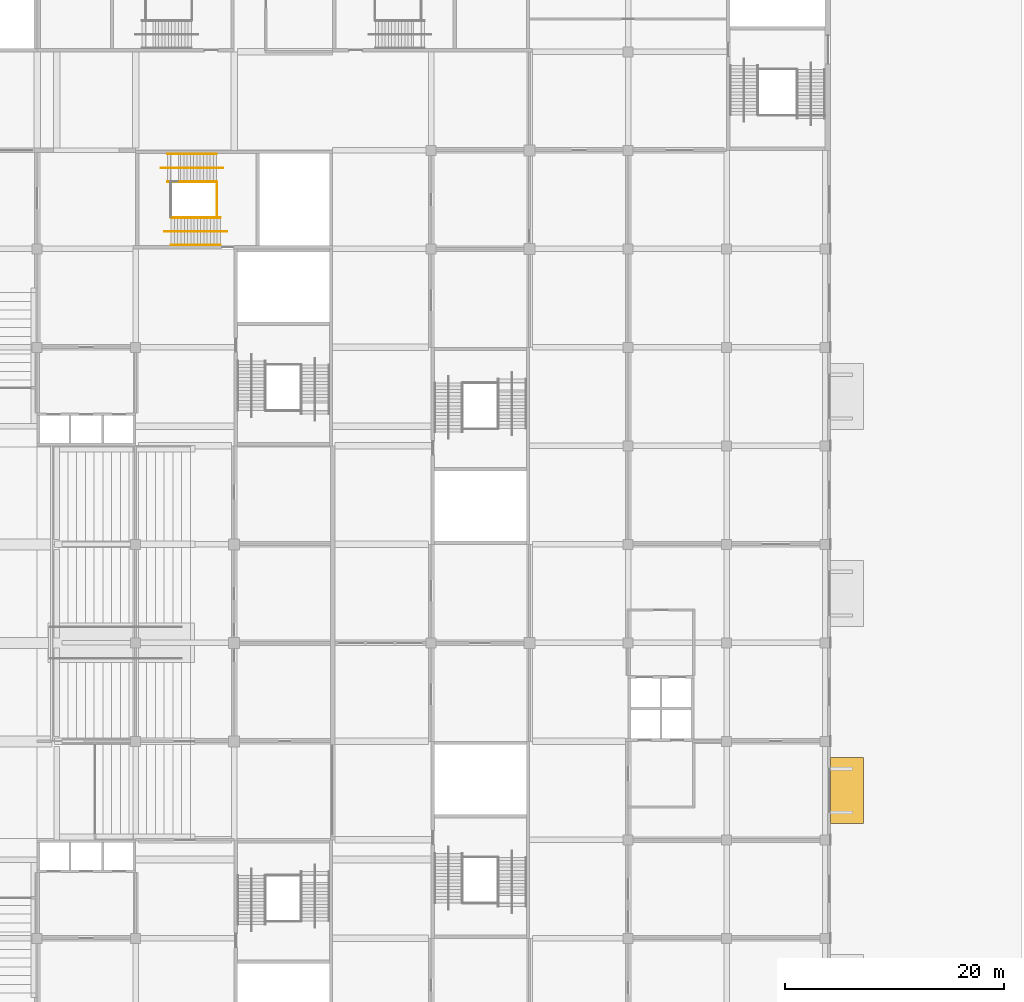
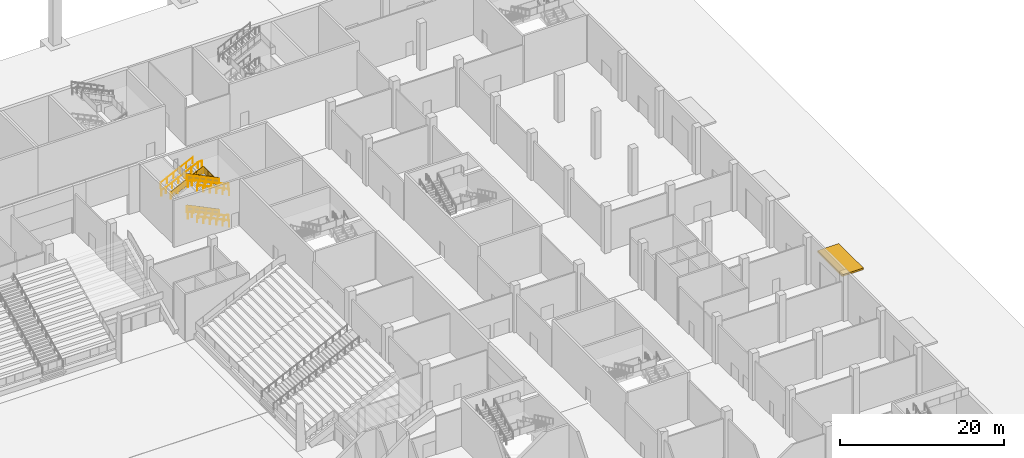
# One storey, part 79 of 92: 13 railings, 1 shading device.
"""IFC4 building model written with IfcOpenShell, lengths in metres."""

from ifc_helpers import new_model, si_unit, direction, frame, origin, origin_2d, place, context, subcontext, project, spatial, polyline, rectangle, circle, outline, extrude, material, type_object, element, save


model = new_model("IFC4")

# Units and contexts
model_context = context("Model", 3, precision=1e-05, world=origin(), true_north=direction((0.0, 1.0)))
body_context = subcontext(model_context, "Body", "Model", "MODEL_VIEW")
ifc_project = project(units=[si_unit("LENGTHUNIT", "METRE"), si_unit("AREAUNIT", "SQUARE_METRE"), si_unit("VOLUMEUNIT", "CUBIC_METRE"), si_unit("PLANEANGLEUNIT", "RADIAN"), si_unit("MASSUNIT", "GRAM", prefix="KILO")], contexts=[model_context])

# Site, building, storey
site_placement = place(None, origin())
site = spatial("IfcSite", under=ifc_project, at=site_placement, CompositionType="ELEMENT")
building_placement = place(site_placement, origin())
building = spatial("IfcBuilding", under=site, at=building_placement, Name="Silverbay Arena", CompositionType="ELEMENT")
storey_placement = place(building_placement, origin())
storey = spatial("IfcBuildingStorey", under=building, at=storey_placement, Name="L00", CompositionType="ELEMENT", Elevation=0.0)

# Shading device
ifc_material_1 = material(Name="Steel S355", Category="steel")
shading_device_type = type_object("IfcShadingDeviceType", Name="Loading dock canopy 6000 x 3000", PredefinedType="AWNING", material=ifc_material_1)
shading_device_placement = place(storey_placement, frame((236.0, 67.5, 5.199951171875), z_axis=(0.0, 0.0, 1.0), x_axis=(0.0, 1.0, 0.0)))
element("IfcShadingDevice", 1, at=shading_device_placement, inside=storey, type_object=shading_device_type, Name="East loading dock canopy L00 bay 6", PredefinedType="AWNING", context=body_context, shape_type="SweptSolid", body=[
    extrude(rectangle(XDim=6.0, YDim=3.0, at=origin_2d()), origin(), (0.0, 0.0, 1.0), 0.25),
])

# Railings
ifc_material_2 = material(Name="Stainless steel", Category="steel")
railing_type_1 = type_object("IfcRailingType", Name="Stair guard 1100", PredefinedType="GUARDRAIL", material=ifc_material_2)
railing_1_placement = place(storey_placement, frame((178.7431640625, 119.875, 0.145751953125)))
element("IfcRailing", 2, at=railing_1_placement, inside=storey, type_object=railing_type_1, Name="Stair ST-NE1 L00 to L01 flight 1 guard right", PredefinedType="GUARDRAIL", context=body_context, shape_type="SweptSolid", body=[
    extrude(circle(Radius=0.02392578125, at=origin_2d()), frame((0.0, 0.0, 1.076171875), z_axis=(-0.899367854138, 0.0, 0.437192706873), x_axis=(0.0, -1.0, 0.0)), (0.0, 0.0, 1.0), 5.00341796875),
    extrude(outline(polyline([(-0.008056640625, 0.046142578125), (0.907958984375, 0.491455078125), (0.907958984375, 1.494384765625), (-0.008056640625, 1.049072265625), (-0.008056640625, 0.046142578125)])), frame((0.0, -0.0029296875, 0.0), z_axis=(0.0, 1.0, 0.0), x_axis=(-1.0, 0.0, 0.0)), (0.0, 0.0, 1.0), 0.006103515625),
    extrude(outline(polyline([(-0.008056640625, 0.483642578125), (0.907958984375, 0.928955078125), (0.907958984375, 1.931884765625), (-0.008056640625, 1.486572265625), (-0.008056640625, 0.483642578125)])), frame((-0.89990234375, -0.0029296875, 0.0), z_axis=(0.0, 1.0, 0.0), x_axis=(-1.0, 0.0, 0.0)), (0.0, 0.0, 1.0), 0.006103515625),
    extrude(outline(polyline([(-0.008056640625, 0.921142578125), (0.907958984375, 1.366455078125), (0.907958984375, 2.369384765625), (-0.008056640625, 1.924072265625), (-0.008056640625, 0.921142578125)])), frame((-1.800048828125, -0.0029296875, 0.0), z_axis=(0.0, 1.0, 0.0), x_axis=(-1.0, 0.0, 0.0)), (0.0, 0.0, 1.0), 0.006103515625),
    extrude(outline(polyline([(-0.008056640625, 1.358642578125), (0.907958984375, 1.803955078125), (0.907958984375, 2.806884765625), (-0.008056640625, 2.361572265625), (-0.008056640625, 1.358642578125)])), frame((-2.699951171875, -0.0029296875, 0.0), z_axis=(0.0, 1.0, 0.0), x_axis=(-1.0, 0.0, 0.0)), (0.0, 0.0, 1.0), 0.006103515625),
    extrude(outline(polyline([(-0.008056640625, 1.796142578125), (0.907958984375, 2.241455078125), (0.907958984375, 3.244384765625), (-0.008056640625, 2.799072265625), (-0.008056640625, 1.796142578125)])), frame((-3.60009765625, -0.0029296875, 0.0), z_axis=(0.0, 1.0, 0.0), x_axis=(-1.0, 0.0, 0.0)), (0.0, 0.0, 1.0), 0.006103515625),
    extrude(circle(Radius=0.02099609375, at=origin_2d()), origin(), (0.0, 0.0, 1.0), 1.052001953125),
    extrude(circle(Radius=0.02099609375, at=origin_2d()), frame((-0.89990234375, 0.0, 0.4375)), (0.0, 0.0, 1.0), 1.052001953125),
    extrude(circle(Radius=0.02099609375, at=origin_2d()), frame((-1.800048828125, 0.0, 0.875)), (0.0, 0.0, 1.0), 1.052001953125),
    extrude(circle(Radius=0.02099609375, at=origin_2d()), frame((-2.699951171875, 0.0, 1.3125)), (0.0, 0.0, 1.0), 1.052001953125),
    extrude(circle(Radius=0.02099609375, at=origin_2d()), frame((-3.60009765625, 0.0, 1.75)), (0.0, 0.0, 1.0), 1.052001953125),
    extrude(circle(Radius=0.02099609375, at=origin_2d()), frame((-4.5, 0.0, 2.1875)), (0.0, 0.0, 1.0), 1.052001953125),
])
railing_2_placement = place(storey_placement, frame((173.89990234375, 123.125, 2.479248046875)))
element("IfcRailing", 3, at=railing_2_placement, inside=storey, type_object=railing_type_1, Name="Stair ST-NE1 L00 to L01 flight 2 guard left", PredefinedType="GUARDRAIL", context=body_context, shape_type="SweptSolid", body=[
    extrude(circle(Radius=0.02392578125, at=origin_2d()), frame((0.0, 0.0, 1.076171875), z_axis=(0.899367854138, 0.0, 0.437192706873), x_axis=(0.0, 1.0, 0.0)), (0.0, 0.0, 1.0), 5.00341796875),
    extrude(outline(polyline([(-0.008056640625, 0.046142578125), (0.907958984375, 0.491455078125), (0.907958984375, 1.494384765625), (-0.008056640625, 1.049072265625), (-0.008056640625, 0.046142578125)])), frame((0.0, 0.0029296875, 0.0), z_axis=(0.0, -1.0, 0.0), x_axis=(1.0, 0.0, 0.0)), (0.0, 0.0, 1.0), 0.006103515625),
    extrude(outline(polyline([(-0.008056640625, 0.483642578125), (0.907958984375, 0.928955078125), (0.907958984375, 1.931884765625), (-0.008056640625, 1.486572265625), (-0.008056640625, 0.483642578125)])), frame((0.89990234375, 0.0029296875, 0.0), z_axis=(0.0, -1.0, 0.0), x_axis=(1.0, 0.0, 0.0)), (0.0, 0.0, 1.0), 0.006103515625),
    extrude(outline(polyline([(-0.008056640625, 0.921142578125), (0.907958984375, 1.366455078125), (0.907958984375, 2.369384765625), (-0.008056640625, 1.924072265625), (-0.008056640625, 0.921142578125)])), frame((1.800048828125, 0.0029296875, 0.0), z_axis=(0.0, -1.0, 0.0), x_axis=(1.0, 0.0, 0.0)), (0.0, 0.0, 1.0), 0.006103515625),
    extrude(outline(polyline([(-0.008056640625, 1.358642578125), (0.907958984375, 1.803955078125), (0.907958984375, 2.806884765625), (-0.008056640625, 2.361572265625), (-0.008056640625, 1.358642578125)])), frame((2.699951171875, 0.0029296875, 0.0), z_axis=(0.0, -1.0, 0.0), x_axis=(1.0, 0.0, 0.0)), (0.0, 0.0, 1.0), 0.006103515625),
    extrude(outline(polyline([(-0.008056640625, 1.796142578125), (0.907958984375, 2.241455078125), (0.907958984375, 3.244384765625), (-0.008056640625, 2.799072265625), (-0.008056640625, 1.796142578125)])), frame((3.60009765625, 0.0029296875, 0.0), z_axis=(0.0, -1.0, 0.0), x_axis=(1.0, 0.0, 0.0)), (0.0, 0.0, 1.0), 0.006103515625),
    extrude(circle(Radius=0.02099609375, at=origin_2d()), origin(), (0.0, 0.0, 1.0), 1.052001953125),
    extrude(circle(Radius=0.02099609375, at=origin_2d()), frame((0.89990234375, 0.0, 0.4375)), (0.0, 0.0, 1.0), 1.052001953125),
    extrude(circle(Radius=0.02099609375, at=origin_2d()), frame((1.800048828125, 0.0, 0.875)), (0.0, 0.0, 1.0), 1.052001953125),
    extrude(circle(Radius=0.02099609375, at=origin_2d()), frame((2.699951171875, 0.0, 1.3125)), (0.0, 0.0, 1.0), 1.052001953125),
    extrude(circle(Radius=0.02099609375, at=origin_2d()), frame((3.60009765625, 0.0, 1.75)), (0.0, 0.0, 1.0), 1.052001953125),
    extrude(circle(Radius=0.02099609375, at=origin_2d()), frame((4.5, 0.0, 2.1875)), (0.0, 0.0, 1.0), 1.052001953125),
])
railing_3_placement = place(storey_placement, frame((178.7431640625, 119.875, 4.8125)))
element("IfcRailing", 4, at=railing_3_placement, inside=storey, type_object=railing_type_1, Name="Stair ST-NE1 L00 to L01 flight 3 guard right", PredefinedType="GUARDRAIL", context=body_context, shape_type="SweptSolid", body=[
    extrude(circle(Radius=0.02392578125, at=origin_2d()), frame((0.0, 0.0, 1.076171875), z_axis=(-0.899367854138, 0.0, 0.437192706873), x_axis=(0.0, -1.0, 0.0)), (0.0, 0.0, 1.0), 5.00341796875),
    extrude(outline(polyline([(-0.008056640625, 0.046142578125), (0.907958984375, 0.491455078125), (0.907958984375, 1.494384765625), (-0.008056640625, 1.049072265625), (-0.008056640625, 0.046142578125)])), frame((0.0, -0.0029296875, 0.0), z_axis=(0.0, 1.0, 0.0), x_axis=(-1.0, 0.0, 0.0)), (0.0, 0.0, 1.0), 0.006103515625),
    extrude(outline(polyline([(-0.008056640625, 0.483642578125), (0.907958984375, 0.928955078125), (0.907958984375, 1.931884765625), (-0.008056640625, 1.486572265625), (-0.008056640625, 0.483642578125)])), frame((-0.89990234375, -0.0029296875, 0.0), z_axis=(0.0, 1.0, 0.0), x_axis=(-1.0, 0.0, 0.0)), (0.0, 0.0, 1.0), 0.006103515625),
    extrude(outline(polyline([(-0.008056640625, 0.921142578125), (0.907958984375, 1.366455078125), (0.907958984375, 2.369384765625), (-0.008056640625, 1.924072265625), (-0.008056640625, 0.921142578125)])), frame((-1.800048828125, -0.0029296875, 0.0), z_axis=(0.0, 1.0, 0.0), x_axis=(-1.0, 0.0, 0.0)), (0.0, 0.0, 1.0), 0.006103515625),
    extrude(outline(polyline([(-0.008056640625, 1.358642578125), (0.907958984375, 1.803955078125), (0.907958984375, 2.806884765625), (-0.008056640625, 2.361572265625), (-0.008056640625, 1.358642578125)])), frame((-2.699951171875, -0.0029296875, 0.0), z_axis=(0.0, 1.0, 0.0), x_axis=(-1.0, 0.0, 0.0)), (0.0, 0.0, 1.0), 0.006103515625),
    extrude(outline(polyline([(-0.008056640625, 1.796142578125), (0.907958984375, 2.241455078125), (0.907958984375, 3.244384765625), (-0.008056640625, 2.799072265625), (-0.008056640625, 1.796142578125)])), frame((-3.60009765625, -0.0029296875, 0.0), z_axis=(0.0, 1.0, 0.0), x_axis=(-1.0, 0.0, 0.0)), (0.0, 0.0, 1.0), 0.006103515625),
    extrude(circle(Radius=0.02099609375, at=origin_2d()), origin(), (0.0, 0.0, 1.0), 1.052001953125),
    extrude(circle(Radius=0.02099609375, at=origin_2d()), frame((-0.89990234375, 0.0, 0.4375)), (0.0, 0.0, 1.0), 1.052001953125),
    extrude(circle(Radius=0.02099609375, at=origin_2d()), frame((-1.800048828125, 0.0, 0.875)), (0.0, 0.0, 1.0), 1.052001953125),
    extrude(circle(Radius=0.02099609375, at=origin_2d()), frame((-2.699951171875, 0.0, 1.3125)), (0.0, 0.0, 1.0), 1.052001953125),
    extrude(circle(Radius=0.02099609375, at=origin_2d()), frame((-3.60009765625, 0.0, 1.75)), (0.0, 0.0, 1.0), 1.052001953125),
    extrude(circle(Radius=0.02099609375, at=origin_2d()), frame((-4.5, 0.0, 2.1875)), (0.0, 0.0, 1.0), 1.052001953125),
])
railing_4_placement = place(storey_placement, frame((178.449951171875, 119.89990234375, 4.666748046875)))
element("IfcRailing", 5, at=railing_4_placement, inside=storey, type_object=railing_type_1, Name="Stair ST-NE1 L00 to L01 landing 2 guard", PredefinedType="GUARDRAIL", context=body_context, shape_type="SweptSolid", body=[
    extrude(circle(Radius=0.02392578125, at=origin_2d()), frame((0.0, 0.0, 1.076171875), z_axis=(0.0, 1.0, 0.0), x_axis=(-1.0, 0.0, 0.0)), (0.0, 0.0, 1.0), 3.2001953125),
    extrude(outline(polyline([(-0.008056640625, 0.050048828125), (1.07470703125, 0.050048828125), (1.07470703125, 1.052978515625), (-0.008056640625, 1.052978515625), (-0.008056640625, 0.050048828125)])), frame((-0.0029296875, 0.0, 0.0), z_axis=(1.0, 0.0, 0.0), x_axis=(0.0, 1.0, 0.0)), (0.0, 0.0, 1.0), 0.006103515625),
    extrude(outline(polyline([(-0.008056640625, 0.050048828125), (1.07470703125, 0.050048828125), (1.07470703125, 1.052978515625), (-0.008056640625, 1.052978515625), (-0.008056640625, 0.050048828125)])), frame((-0.0029296875, 1.066650390625, 0.0), z_axis=(1.0, 0.0, 0.0), x_axis=(0.0, 1.0, 0.0)), (0.0, 0.0, 1.0), 0.006103515625),
    extrude(outline(polyline([(-0.008056640625, 0.050048828125), (1.07470703125, 0.050048828125), (1.07470703125, 1.052978515625), (-0.008056640625, 1.052978515625), (-0.008056640625, 0.050048828125)])), frame((-0.0029296875, 2.133544921875, 0.0), z_axis=(1.0, 0.0, 0.0), x_axis=(0.0, 1.0, 0.0)), (0.0, 0.0, 1.0), 0.006103515625),
    extrude(circle(Radius=0.02099609375, at=origin_2d()), origin(), (0.0, 0.0, 1.0), 1.052001953125),
    extrude(circle(Radius=0.02099609375, at=origin_2d()), frame((0.0, 1.066650390625, 0.0)), (0.0, 0.0, 1.0), 1.052001953125),
    extrude(circle(Radius=0.02099609375, at=origin_2d()), frame((0.0, 2.133544921875, 0.0)), (0.0, 0.0, 1.0), 1.052001953125),
    extrude(circle(Radius=0.02099609375, at=origin_2d()), frame((0.0, 3.2001953125, 0.0)), (0.0, 0.0, 1.0), 1.052001953125),
])
ifc_material_3 = material(Name="Stainless steel", Category="steel")
railing_type_2 = type_object("IfcRailingType", Name="Stair handrail 900", PredefinedType="HANDRAIL", material=ifc_material_3)
for number, where, name in (
    (6, (178.7431640625, 117.35009765625, 0.145751953125), "Stair ST-NE1 L00 to L01 flight 1 handrail left"),
    (7, (178.7431640625, 119.8359375, 0.145751953125), "Stair ST-NE1 L00 to L01 flight 1 handrail right"),
):
    element("IfcRailing", number, at=place(storey_placement, frame(where)), inside=storey, type_object=railing_type_2, Name=name, PredefinedType="HANDRAIL", context=body_context, shape_type="SweptSolid", body=[
        extrude(circle(Radius=0.02392578125, at=origin_2d()), frame((0.0, 0.0, 0.8759765625), z_axis=(-0.899367854138, 0.0, 0.437192706873), x_axis=(0.0, -1.0, 0.0)), (0.0, 0.0, 1.0), 5.00341796875),
        extrude(circle(Radius=0.02099609375, at=origin_2d()), origin(), (0.0, 0.0, 1.0), 0.851806640625),
        extrude(circle(Radius=0.02099609375, at=origin_2d()), frame((-0.89990234375, 0.0, 0.4375)), (0.0, 0.0, 1.0), 0.851806640625),
        extrude(circle(Radius=0.02099609375, at=origin_2d()), frame((-1.800048828125, 0.0, 0.875)), (0.0, 0.0, 1.0), 0.851806640625),
        extrude(circle(Radius=0.02099609375, at=origin_2d()), frame((-2.699951171875, 0.0, 1.3125)), (0.0, 0.0, 1.0), 0.851806640625),
        extrude(circle(Radius=0.02099609375, at=origin_2d()), frame((-3.60009765625, 0.0, 1.75)), (0.0, 0.0, 1.0), 0.851806640625),
        extrude(circle(Radius=0.02099609375, at=origin_2d()), frame((-4.5, 0.0, 2.1875)), (0.0, 0.0, 1.0), 0.851806640625),
    ])
railing_5_placement = place(storey_placement, frame((179.343017578125, 118.60009765625, 0.0)))
element("IfcRailing", 8, at=railing_5_placement, inside=storey, type_object=railing_type_2, Name="Stair ST-NE1 L00 to L01 flight 1 central handrail", PredefinedType="HANDRAIL", context=body_context, shape_type="SweptSolid", body=[
    extrude(circle(Radius=0.02392578125, at=origin_2d()), frame((0.0, 0.0, 0.8759765625), z_axis=(-0.971726487806, 0.0, 0.23610936639), x_axis=(0.0, -1.0, 0.0)), (0.0, 0.0, 1.0), 0.6171875),
    extrude(circle(Radius=0.02392578125, at=origin_2d()), frame((-0.599853515625, 0.0, 1.021484375), z_axis=(-0.899367854138, 0.0, 0.437192706873), x_axis=(0.0, -1.0, 0.0)), (0.0, 0.0, 1.0), 5.00341796875),
    extrude(circle(Radius=0.02392578125, at=origin_2d()), frame((-5.099853515625, 0.0, 3.208984375), z_axis=(-1.0, 0.0, 0.0), x_axis=(0.0, -1.0, 0.0)), (0.0, 0.0, 1.0), 0.60009765625),
    extrude(circle(Radius=0.02099609375, at=origin_2d()), origin(), (0.0, 0.0, 1.0), 0.851806640625),
    extrude(circle(Radius=0.02099609375, at=origin_2d()), frame((-0.599853515625, 0.0, 0.145751953125)), (0.0, 0.0, 1.0), 0.851806640625),
    extrude(circle(Radius=0.02099609375, at=origin_2d()), frame((-1.499755859375, 0.0, 0.583251953125)), (0.0, 0.0, 1.0), 0.851806640625),
    extrude(circle(Radius=0.02099609375, at=origin_2d()), frame((-2.39990234375, 0.0, 1.020751953125)), (0.0, 0.0, 1.0), 0.851806640625),
    extrude(circle(Radius=0.02099609375, at=origin_2d()), frame((-3.2998046875, 0.0, 1.458251953125)), (0.0, 0.0, 1.0), 0.851806640625),
    extrude(circle(Radius=0.02099609375, at=origin_2d()), frame((-4.199951171875, 0.0, 1.895751953125)), (0.0, 0.0, 1.0), 0.851806640625),
    extrude(circle(Radius=0.02099609375, at=origin_2d()), frame((-5.099853515625, 0.0, 2.333251953125)), (0.0, 0.0, 1.0), 0.851806640625),
    extrude(circle(Radius=0.02099609375, at=origin_2d()), frame((-5.699951171875, 0.0, 2.333251953125)), (0.0, 0.0, 1.0), 0.851806640625),
])
for number, where, name in (
    (9, (173.89990234375, 123.1640625, 2.479248046875), "Stair ST-NE1 L00 to L01 flight 2 handrail left"),
    (10, (173.89990234375, 125.64990234375, 2.479248046875), "Stair ST-NE1 L00 to L01 flight 2 handrail right"),
):
    element("IfcRailing", number, at=place(storey_placement, frame(where)), inside=storey, type_object=railing_type_2, Name=name, PredefinedType="HANDRAIL", context=body_context, shape_type="SweptSolid", body=[
        extrude(circle(Radius=0.02392578125, at=origin_2d()), frame((0.0, 0.0, 0.8759765625), z_axis=(0.899367854138, 0.0, 0.437192706873), x_axis=(0.0, 1.0, 0.0)), (0.0, 0.0, 1.0), 5.00341796875),
        extrude(circle(Radius=0.02099609375, at=origin_2d()), origin(), (0.0, 0.0, 1.0), 0.851806640625),
        extrude(circle(Radius=0.02099609375, at=origin_2d()), frame((0.89990234375, 0.0, 0.4375)), (0.0, 0.0, 1.0), 0.851806640625),
        extrude(circle(Radius=0.02099609375, at=origin_2d()), frame((1.800048828125, 0.0, 0.875)), (0.0, 0.0, 1.0), 0.851806640625),
        extrude(circle(Radius=0.02099609375, at=origin_2d()), frame((2.699951171875, 0.0, 1.3125)), (0.0, 0.0, 1.0), 0.851806640625),
        extrude(circle(Radius=0.02099609375, at=origin_2d()), frame((3.60009765625, 0.0, 1.75)), (0.0, 0.0, 1.0), 0.851806640625),
        extrude(circle(Radius=0.02099609375, at=origin_2d()), frame((4.5, 0.0, 2.1875)), (0.0, 0.0, 1.0), 0.851806640625),
    ])
railing_6_placement = place(storey_placement, frame((173.300048828125, 124.39990234375, 2.333251953125)))
element("IfcRailing", 11, at=railing_6_placement, inside=storey, type_object=railing_type_2, Name="Stair ST-NE1 L00 to L01 flight 2 central handrail", PredefinedType="HANDRAIL", context=body_context, shape_type="SweptSolid", body=[
    extrude(circle(Radius=0.02392578125, at=origin_2d()), frame((0.0, 0.0, 0.8759765625), z_axis=(0.971635685089, 0.0, 0.236482759334), x_axis=(0.0, 1.0, 0.0)), (0.0, 0.0, 1.0), 0.617431640625),
    extrude(circle(Radius=0.02392578125, at=origin_2d()), frame((0.599853515625, 0.0, 1.02197265625), z_axis=(0.899367854138, 0.0, 0.437192706873), x_axis=(0.0, 1.0, 0.0)), (0.0, 0.0, 1.0), 5.00341796875),
    extrude(circle(Radius=0.02392578125, at=origin_2d()), frame((5.099853515625, 0.0, 3.20947265625), z_axis=(1.0, 0.0, 0.0), x_axis=(0.0, 1.0, 0.0)), (0.0, 0.0, 1.0), 0.60009765625),
    extrude(circle(Radius=0.02099609375, at=origin_2d()), origin(), (0.0, 0.0, 1.0), 0.851806640625),
    extrude(circle(Radius=0.02099609375, at=origin_2d()), frame((0.599853515625, 0.0, 0.14599609375)), (0.0, 0.0, 1.0), 0.851806640625),
    extrude(circle(Radius=0.02099609375, at=origin_2d()), frame((1.499755859375, 0.0, 0.58349609375)), (0.0, 0.0, 1.0), 0.851806640625),
    extrude(circle(Radius=0.02099609375, at=origin_2d()), frame((2.39990234375, 0.0, 1.02099609375)), (0.0, 0.0, 1.0), 0.851806640625),
    extrude(circle(Radius=0.02099609375, at=origin_2d()), frame((3.2998046875, 0.0, 1.45849609375)), (0.0, 0.0, 1.0), 0.851806640625),
    extrude(circle(Radius=0.02099609375, at=origin_2d()), frame((4.199951171875, 0.0, 1.89599609375)), (0.0, 0.0, 1.0), 0.851806640625),
    extrude(circle(Radius=0.02099609375, at=origin_2d()), frame((5.099853515625, 0.0, 2.33349609375)), (0.0, 0.0, 1.0), 0.851806640625),
    extrude(circle(Radius=0.02099609375, at=origin_2d()), frame((5.699951171875, 0.0, 2.33349609375)), (0.0, 0.0, 1.0), 0.851806640625),
])
for number, where, name in (
    (12, (178.7431640625, 117.35009765625, 4.8125), "Stair ST-NE1 L00 to L01 flight 3 handrail left"),
    (13, (178.7431640625, 119.8359375, 4.8125), "Stair ST-NE1 L00 to L01 flight 3 handrail right"),
):
    element("IfcRailing", number, at=place(storey_placement, frame(where)), inside=storey, type_object=railing_type_2, Name=name, PredefinedType="HANDRAIL", context=body_context, shape_type="SweptSolid", body=[
        extrude(circle(Radius=0.02392578125, at=origin_2d()), frame((0.0, 0.0, 0.8759765625), z_axis=(-0.899367854138, 0.0, 0.437192706873), x_axis=(0.0, -1.0, 0.0)), (0.0, 0.0, 1.0), 5.00341796875),
        extrude(circle(Radius=0.02099609375, at=origin_2d()), origin(), (0.0, 0.0, 1.0), 0.851806640625),
        extrude(circle(Radius=0.02099609375, at=origin_2d()), frame((-0.89990234375, 0.0, 0.4375)), (0.0, 0.0, 1.0), 0.851806640625),
        extrude(circle(Radius=0.02099609375, at=origin_2d()), frame((-1.800048828125, 0.0, 0.875)), (0.0, 0.0, 1.0), 0.851806640625),
        extrude(circle(Radius=0.02099609375, at=origin_2d()), frame((-2.699951171875, 0.0, 1.3125)), (0.0, 0.0, 1.0), 0.851806640625),
        extrude(circle(Radius=0.02099609375, at=origin_2d()), frame((-3.60009765625, 0.0, 1.75)), (0.0, 0.0, 1.0), 0.851806640625),
        extrude(circle(Radius=0.02099609375, at=origin_2d()), frame((-4.5, 0.0, 2.1875)), (0.0, 0.0, 1.0), 0.851806640625),
    ])
railing_7_placement = place(storey_placement, frame((179.343017578125, 118.60009765625, 4.666748046875)))
element("IfcRailing", 14, at=railing_7_placement, inside=storey, type_object=railing_type_2, Name="Stair ST-NE1 L00 to L01 flight 3 central handrail", PredefinedType="HANDRAIL", context=body_context, shape_type="SweptSolid", body=[
    extrude(circle(Radius=0.02392578125, at=origin_2d()), frame((0.0, 0.0, 0.8759765625), z_axis=(-0.971726487806, 0.0, 0.23610936639), x_axis=(0.0, -1.0, 0.0)), (0.0, 0.0, 1.0), 0.6171875),
    extrude(circle(Radius=0.02392578125, at=origin_2d()), frame((-0.599853515625, 0.0, 1.021484375), z_axis=(-0.899367854138, 0.0, 0.437192706873), x_axis=(0.0, -1.0, 0.0)), (0.0, 0.0, 1.0), 5.00341796875),
    extrude(circle(Radius=0.02392578125, at=origin_2d()), frame((-5.099853515625, 0.0, 3.208984375), z_axis=(-1.0, 0.0, 0.0), x_axis=(0.0, -1.0, 0.0)), (0.0, 0.0, 1.0), 0.60009765625),
    extrude(circle(Radius=0.02099609375, at=origin_2d()), origin(), (0.0, 0.0, 1.0), 0.851806640625),
    extrude(circle(Radius=0.02099609375, at=origin_2d()), frame((-0.599853515625, 0.0, 0.145751953125)), (0.0, 0.0, 1.0), 0.851806640625),
    extrude(circle(Radius=0.02099609375, at=origin_2d()), frame((-1.499755859375, 0.0, 0.583251953125)), (0.0, 0.0, 1.0), 0.851806640625),
    extrude(circle(Radius=0.02099609375, at=origin_2d()), frame((-2.39990234375, 0.0, 1.020751953125)), (0.0, 0.0, 1.0), 0.851806640625),
    extrude(circle(Radius=0.02099609375, at=origin_2d()), frame((-3.2998046875, 0.0, 1.458251953125)), (0.0, 0.0, 1.0), 0.851806640625),
    extrude(circle(Radius=0.02099609375, at=origin_2d()), frame((-4.199951171875, 0.0, 1.895751953125)), (0.0, 0.0, 1.0), 0.851806640625),
    extrude(circle(Radius=0.02099609375, at=origin_2d()), frame((-5.099853515625, 0.0, 2.333251953125)), (0.0, 0.0, 1.0), 0.851806640625),
    extrude(circle(Radius=0.02099609375, at=origin_2d()), frame((-5.699951171875, 0.0, 2.333251953125)), (0.0, 0.0, 1.0), 0.851806640625),
])

save(model, "model.ifc")
